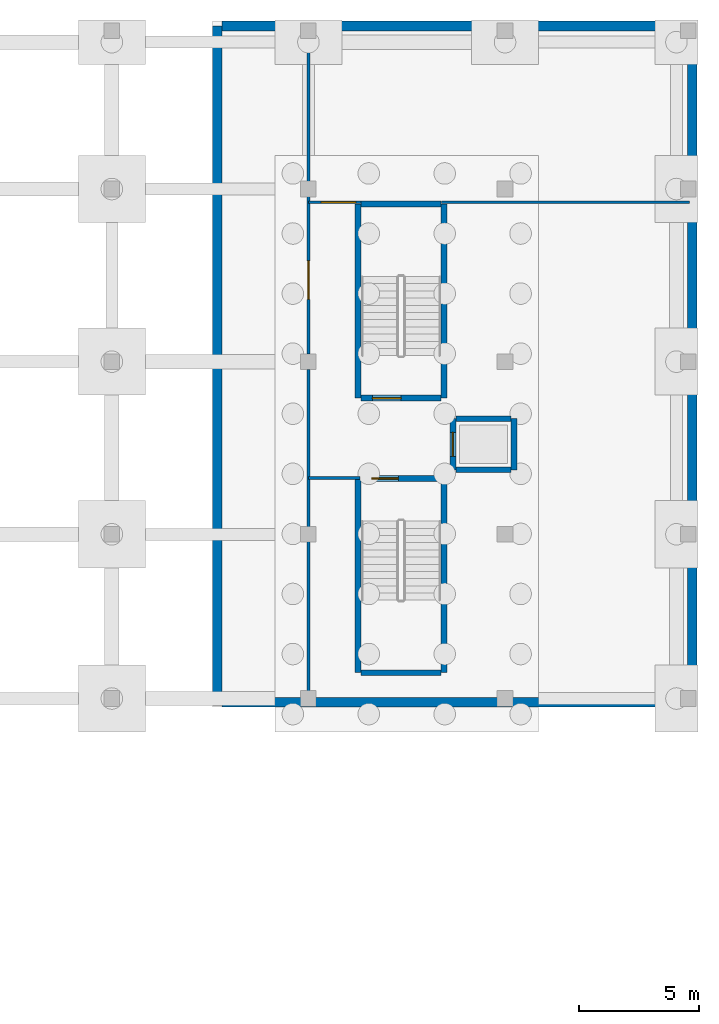
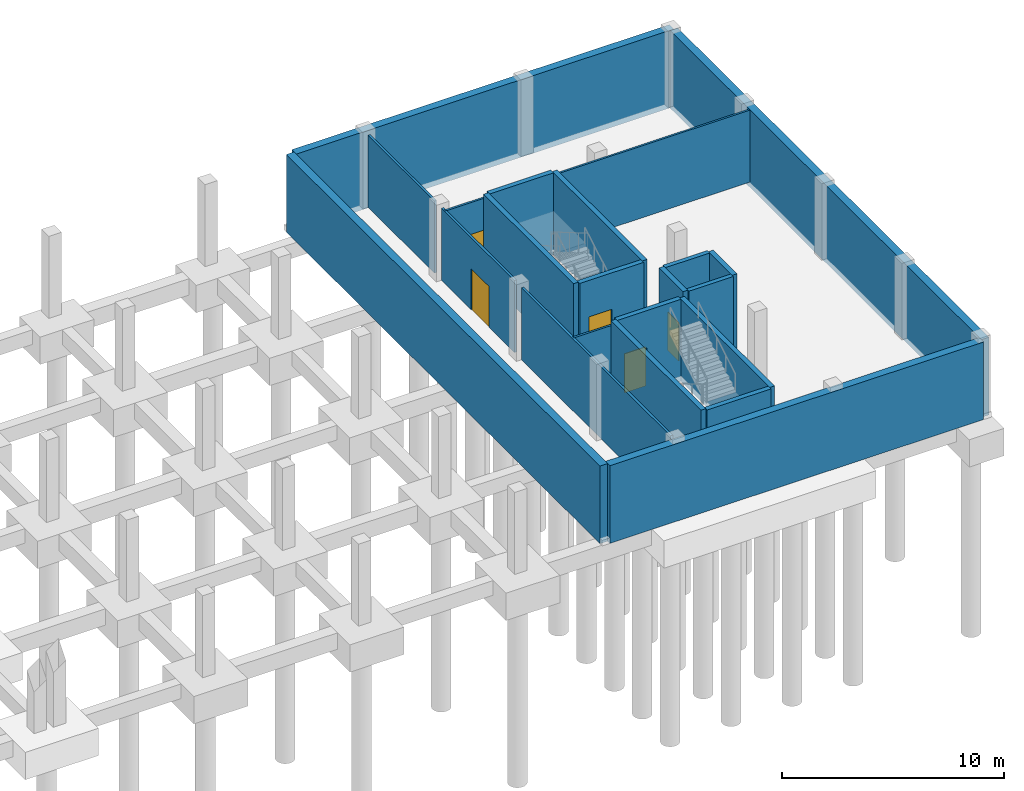
# One storey, part 14 of 21: 22 walls, 5 doors, 5 openings.
"""IFC4 building model written with IfcOpenShell, lengths in metres."""

from ifc_helpers import new_model, si_unit, direction, frame, frame_2d, origin, place, context, subcontext, project, spatial, rectangle, extrude, material, layer, layer_set, type_object, element, fill, save


model = new_model("IFC4")

# Units and contexts
model_context = context("Model", 3, precision=1e-05, world=origin(), true_north=direction((0.0, 1.0)))
body_context = subcontext(model_context, "Body", "Model", "MODEL_VIEW")
ifc_project = project(units=[si_unit("LENGTHUNIT", "METRE"), si_unit("AREAUNIT", "SQUARE_METRE"), si_unit("VOLUMEUNIT", "CUBIC_METRE"), si_unit("PLANEANGLEUNIT", "RADIAN"), si_unit("MASSUNIT", "GRAM", prefix="KILO")], contexts=[model_context])

# Site, building, storey
site_placement = place(None, origin())
site = spatial("IfcSite", under=ifc_project, at=site_placement, CompositionType="ELEMENT")
building_placement = place(site_placement, origin())
building = spatial("IfcBuilding", under=site, at=building_placement, Name="Quillay Park Conservatory", CompositionType="ELEMENT")
storey_placement = place(building_placement, frame((0.0, 0.0, -8.39990234375)))
storey = spatial("IfcBuildingStorey", under=building, at=storey_placement, Name="B2", CompositionType="ELEMENT", Elevation=-8.39990234375)

# Wall
ifc_material_1 = material(Name="Steel-Stud Acoustic Gypsum Board Partition", Category="steel")
ifc_layer_1 = layer(ifc_material_1, 0.10009765625)
ifc_layer_set_1 = layer_set([ifc_layer_1], Name="ACOUSTIC GYPSUM PARTITION 100 (Steel-Stud Acoustic Gypsum Board Partition)")
wall_type_1 = type_object("IfcWallType", Name="ACOUSTIC GYPSUM PARTITION 100", PredefinedType="PARTITIONING", material=ifc_layer_set_1)
wall_1_placement = place(storey_placement, frame((153.550048828125, 106.25, 0.0), z_axis=(0.0, 0.0, 1.0), x_axis=(1.0, 0.0, 0.0)))
element("IfcWall", 1, at=wall_1_placement, inside=storey, type_object=wall_type_1, Name="B2 Aud Sub North Room Wall E", PredefinedType="PARTITIONING", context=body_context, shape_type="SweptSolid", body=[
    extrude(rectangle(XDim=10.349853515625, YDim=0.10009765625, at=frame_2d((5.1748046875, 0.0))), origin(), (0.0, 0.0, 1.0), 3.949951171875),
])

# Wall, opening, door
ifc_material_2 = material(Name="Steel-Stud Acoustic Gypsum Board Partition", Category="steel")
ifc_layer_2 = layer(ifc_material_2, 0.10498046875)
ifc_layer_set_2 = layer_set([ifc_layer_2], Name="ACOUSTIC GYPSUM PARTITION 105 (Steel-Stud Acoustic Gypsum Board Partition)")
wall_type_2 = type_object("IfcWallType", Name="ACOUSTIC GYPSUM PARTITION 105", PredefinedType="PARTITIONING", material=ifc_layer_set_2)
wall_2_placement = place(storey_placement, frame((148.0, 106.25, 0.0), z_axis=(0.0, 0.0, 1.0), x_axis=(1.0, 0.0, 0.0)))
wall_2 = element("IfcWall", 2, at=wall_2_placement, inside=storey, type_object=wall_type_2, Name="B2 Aud Sub North Room Door Wall", PredefinedType="PARTITIONING", context=body_context, shape_type="SweptSolid", body=[
    extrude(rectangle(XDim=2.199951171875, YDim=0.10498046875, at=frame_2d((1.10009765625, 0.0))), origin(), (0.0, 0.0, 1.0), 3.949951171875),
])
opening_1_placement = place(wall_2_placement, frame((0.52490234375, 0.0, 0.0)))
opening_1 = element("IfcOpeningElement", 3, at=opening_1_placement, cuts=wall_2, Name="Opening D-PL01", PredefinedType="OPENING", context=body_context, shape_type="SweptSolid", body=[
    extrude(rectangle(XDim=1.449951171875, YDim=2.199951171875, at=frame_2d((0.72509765625, 1.10009765625))), frame((0.0, 0.052490234375, 0.0), z_axis=(0.0, -1.0, 0.0), x_axis=(1.0, 0.0, 0.0)), (0.0, 0.0, 1.0), 0.10498046875),
])
ifc_material_3 = material(Name="Steel ASTM A572 Grade 50", Category="steel")
door_type_1 = type_object("IfcDoorType", Name="FIRE RATED PLANT DOOR 1450 X2200", OperationType="NOTDEFINED", PredefinedType="DOOR", material=ifc_material_3)
door_1_placement = place(opening_1_placement, origin())
door_1 = element("IfcDoor", 4, at=door_1_placement, inside=storey, type_object=door_type_1, Name="B2 Door to B2 Sterilised Substrate and Potting Store", OperationType="SINGLE_SWING_LEFT", OverallHeight=2.199951171875, OverallWidth=1.449951171875, PredefinedType="DOOR", context=body_context, shape_type="SweptSolid", body=[
    extrude(rectangle(XDim=1.449951171875, YDim=2.199951171875, at=frame_2d((0.72509765625, 1.10009765625))), frame((0.0, 0.02490234375, 0.0), z_axis=(0.0, -1.0, 0.0), x_axis=(1.0, 0.0, 0.0)), (0.0, 0.0, 1.0), 0.050048828125),
])
fill(opening_1, door_1)

# Walls
ifc_material_4 = material(Name="Steel-Stud Acoustic Gypsum Board Partition", Category="steel")
ifc_layer_3 = layer(ifc_material_4, 0.110107421875)
ifc_layer_set_3 = layer_set([ifc_layer_3], Name="ACOUSTIC GYPSUM PARTITION 110 (Steel-Stud Acoustic Gypsum Board Partition)")
wall_type_3 = type_object("IfcWallType", Name="ACOUSTIC GYPSUM PARTITION 110", PredefinedType="PARTITIONING", material=ifc_layer_set_3)
wall_3_placement = place(storey_placement, frame((148.0, 94.75, 0.0), z_axis=(0.0, 0.0, 1.0), x_axis=(1.0, 0.0, 0.0)))
element("IfcWall", 5, at=wall_3_placement, inside=storey, type_object=wall_type_3, Name="B2 Aud Sub Corr South Closure", PredefinedType="PARTITIONING", context=body_context, shape_type="SweptSolid", body=[
    extrude(rectangle(XDim=2.14990234375, YDim=0.110107421875, at=frame_2d((1.074951171875, 0.0))), origin(), (0.0, 0.0, 1.0), 3.949951171875),
])
ifc_material_5 = material(Name="Steel-Stud Acoustic Gypsum Board Partition", Category="steel")
ifc_layer_4 = layer(ifc_material_5, 0.114990234375)
ifc_layer_set_4 = layer_set([ifc_layer_4], Name="ACOUSTIC GYPSUM PARTITION 115 (Steel-Stud Acoustic Gypsum Board Partition)")
wall_type_4 = type_object("IfcWallType", Name="ACOUSTIC GYPSUM PARTITION 115", PredefinedType="PARTITIONING", material=ifc_layer_set_4)
wall_4_placement = place(storey_placement, frame((148.0, 107.1201171875, 0.0), z_axis=(0.0, 0.0, 1.0), x_axis=(0.0, 1.0, 0.0)))
element("IfcWall", 6, at=wall_4_placement, inside=storey, type_object=wall_type_4, Name="B2 Aud Sub West Wall N", PredefinedType="PARTITIONING", context=body_context, shape_type="SweptSolid", body=[
    extrude(rectangle(XDim=5.9599609375, YDim=0.114990234375, at=frame_2d((2.97998046875, 0.0))), origin(), (0.0, 0.0, 1.0), 3.949951171875),
])

# Wall, opening, door
ifc_material_6 = material(Name="Steel-Stud Acoustic Gypsum Board Partition", Category="steel")
ifc_layer_5 = layer(ifc_material_6, 0.1201171875)
ifc_layer_set_5 = layer_set([ifc_layer_5], Name="ACOUSTIC GYPSUM PARTITION 120 (Steel-Stud Acoustic Gypsum Board Partition)")
wall_type_5 = type_object("IfcWallType", Name="ACOUSTIC GYPSUM PARTITION 120", PredefinedType="PARTITIONING", material=ifc_layer_set_5)
wall_5_placement = place(storey_placement, frame((148.0, 99.919921875, 0.0), z_axis=(0.0, 0.0, 1.0), x_axis=(0.0, 1.0, 0.0)))
wall_5 = element("IfcWall", 7, at=wall_5_placement, inside=storey, type_object=wall_type_5, Name="B2 Aud Sub West Wall M", PredefinedType="PARTITIONING", context=body_context, shape_type="SweptSolid", body=[
    extrude(rectangle(XDim=6.56005859375, YDim=0.1201171875, at=frame_2d((3.280029296875, 0.0))), origin(), (0.0, 0.0, 1.0), 3.949951171875),
])
opening_2_placement = place(wall_5_placement, frame((2.280029296875, 0.0, 0.0)))
opening_2 = element("IfcOpeningElement", 8, at=opening_2_placement, cuts=wall_5, Name="Opening D-PL02", PredefinedType="OPENING", context=body_context, shape_type="SweptSolid", body=[
    extrude(rectangle(XDim=1.60009765625, YDim=2.25, at=frame_2d((0.800048828125, 1.125))), frame((0.0, 0.06005859375, 0.0), z_axis=(0.0, -1.0, 0.0), x_axis=(1.0, 0.0, 0.0)), (0.0, 0.0, 1.0), 0.1201171875),
])
ifc_material_7 = material(Name="Steel ASTM A572 Grade 50", Category="steel")
door_type_2 = type_object("IfcDoorType", Name="FIRE RATED PLANT DOOR 1600 X2250", OperationType="NOTDEFINED", PredefinedType="DOOR", material=ifc_material_7)
door_2_placement = place(opening_2_placement, origin())
door_2 = element("IfcDoor", 9, at=door_2_placement, inside=storey, type_object=door_type_2, Name="B2 Door to B2 Acoustic AHU Plant Room", OperationType="SINGLE_SWING_RIGHT", OverallHeight=2.25, OverallWidth=1.60009765625, PredefinedType="DOOR", context=body_context, shape_type="SweptSolid", body=[
    extrude(rectangle(XDim=1.60009765625, YDim=2.25, at=frame_2d((0.800048828125, 1.125))), frame((0.0, 0.02490234375, 0.0), z_axis=(0.0, -1.0, 0.0), x_axis=(1.0, 0.0, 0.0)), (0.0, 0.0, 1.0), 0.050048828125),
])
fill(opening_2, door_2)

# Walls
ifc_material_8 = material(Name="Steel-Stud Acoustic Gypsum Board Partition", Category="steel")
ifc_layer_6 = layer(ifc_material_8, 0.125)
ifc_layer_set_6 = layer_set([ifc_layer_6], Name="ACOUSTIC GYPSUM PARTITION 125 (Steel-Stud Acoustic Gypsum Board Partition)")
wall_type_6 = type_object("IfcWallType", Name="ACOUSTIC GYPSUM PARTITION 125", PredefinedType="PARTITIONING", material=ifc_layer_set_6)
wall_6_placement = place(storey_placement, frame((148.0, 85.8701171875, 0.0), z_axis=(0.0, 0.0, 1.0), x_axis=(0.0, 1.0, 0.0)))
element("IfcWall", 10, at=wall_6_placement, inside=storey, type_object=wall_type_6, Name="B2 Aud Sub West Wall S", PredefinedType="PARTITIONING", context=body_context, shape_type="SweptSolid", body=[
    extrude(rectangle(XDim=13.409912109375, YDim=0.125, at=frame_2d((6.705078125, 0.0))), origin(), (0.0, 0.0, 1.0), 3.949951171875),
])
ifc_material_9 = material(Name="Concrete C35/45 (NCh170 Concrete C35/45)", Category="concrete")
ifc_layer_7 = layer(ifc_material_9, 0.22509765625)
ifc_layer_set_7 = layer_set([ifc_layer_7], Name="CORE SHEAR WALL 225 (Concrete C35/45 (NCh170 Concrete C35/45))")
wall_type_7 = type_object("IfcWallType", Name="CORE SHEAR WALL 225", PredefinedType="SHEAR", material=ifc_layer_set_7)
for number, where, z_axis, x_axis, name in (
    (11, (154.14990234375, 95.08740234375, -0.300048828125), (0.0, 0.0, 1.0), (1.0, 0.0, 0.0), "B2 Core Shear Wall WL-LFA1S-B2"),
    (12, (154.14990234375, 97.21240234375, -0.300048828125), (0.0, 0.0, 1.0), (1.0, 0.0, 0.0), "B2 Core Shear Wall WL-LFA1N-B2"),
):
    element("IfcWall", number, at=place(storey_placement, frame(where, z_axis=z_axis, x_axis=x_axis)), inside=storey, type_object=wall_type_7, Name=name, PredefinedType="SHEAR", context=body_context, shape_type="SweptSolid", body=[
        extrude(rectangle(XDim=2.300048828125, YDim=0.22509765625, at=frame_2d((1.14990234375, 0.0))), origin(), (0.0, 0.0, 1.0), 4.5),
    ])
ifc_material_10 = material(Name="Concrete C40/50 (NCh170 Concrete C40/50)", Category="concrete")
ifc_layer_8 = layer(ifc_material_10, 0.25)
ifc_layer_set_8 = layer_set([ifc_layer_8], Name="CORE SHEAR WALL 250 (Concrete C40/50 (NCh170 Concrete C40/50))")
wall_type_8 = type_object("IfcWallType", Name="CORE SHEAR WALL 250", PredefinedType="SHEAR", material=ifc_layer_set_8)
for number, where, z_axis, x_axis, name in (
    (13, (150.074951171875, 86.625, -0.300048828125), (0.0, 0.0, 1.0), (0.0, 1.0, 0.0), "B2 Core Shear Wall WL-A1W-B2"),
    (14, (153.64501953125, 86.625, -0.300048828125), (0.0, 0.0, 1.0), (0.0, 1.0, 0.0), "B2 Core Shear Wall WL-A1E-B2"),
):
    element("IfcWall", number, at=place(storey_placement, frame(where, z_axis=z_axis, x_axis=x_axis)), inside=storey, type_object=wall_type_8, Name=name, PredefinedType="SHEAR", context=body_context, shape_type="SweptSolid", body=[
        extrude(rectangle(XDim=8.10009765625, YDim=0.25, at=frame_2d((4.050048828125, 0.0))), origin(), (0.0, 0.0, 1.0), 4.5),
    ])
wall_7_placement = place(storey_placement, frame((150.199951171875, 86.625, -0.300048828125), z_axis=(0.0, 0.0, 1.0), x_axis=(1.0, 0.0, 0.0)))
element("IfcWall", 15, at=wall_7_placement, inside=storey, type_object=wall_type_8, Name="B2 Core Shear Wall WL-A1S-B2", PredefinedType="SHEAR", context=body_context, shape_type="SweptSolid", body=[
    extrude(rectangle(XDim=3.320068359375, YDim=0.25, at=frame_2d((1.66015625, 0.0))), origin(), (0.0, 0.0, 1.0), 4.5),
])

# Wall, opening, door
wall_8_placement = place(storey_placement, frame((150.199951171875, 94.72509765625, -0.300048828125), z_axis=(0.0, 0.0, 1.0), x_axis=(1.0, 0.0, 0.0)))
wall_8 = element("IfcWall", 16, at=wall_8_placement, inside=storey, type_object=wall_type_8, Name="B2 Core Shear Wall WL-A1D-B2", PredefinedType="SHEAR", context=body_context, shape_type="SweptSolid", body=[
    extrude(rectangle(XDim=3.320068359375, YDim=0.25, at=frame_2d((1.66015625, 0.0))), origin(), (0.0, 0.0, 1.0), 4.5),
])
opening_3_placement = place(wall_8_placement, frame((0.449951171875, 0.0, 0.300048828125)))
opening_3 = element("IfcOpeningElement", 17, at=opening_3_placement, cuts=wall_8, Name="Opening D-ST01", PredefinedType="OPENING", context=body_context, shape_type="SweptSolid", body=[
    extrude(rectangle(XDim=1.10009765625, YDim=2.14990234375, at=frame_2d((0.550048828125, 1.074951171875))), frame((0.0, 0.125, 0.0), z_axis=(0.0, -1.0, 0.0), x_axis=(1.0, 0.0, 0.0)), (0.0, 0.0, 1.0), 0.25),
])
ifc_material_11 = material(Name="Steel ASTM A572 Grade 50", Category="steel")
door_type_3 = type_object("IfcDoorType", Name="FIRE RATED STAIR DOOR 1100 X2150", OperationType="NOTDEFINED", PredefinedType="DOOR", material=ifc_material_11)
door_3_placement = place(opening_3_placement, origin())
door_3 = element("IfcDoor", 18, at=door_3_placement, inside=storey, type_object=door_type_3, Name="B2 Auditorium Stair ST-A1 Door", OperationType="SINGLE_SWING_LEFT", OverallHeight=2.14990234375, OverallWidth=1.10009765625, PredefinedType="DOOR", context=body_context, shape_type="SweptSolid", body=[
    extrude(rectangle(XDim=1.10009765625, YDim=2.14990234375, at=frame_2d((0.550048828125, 1.074951171875))), frame((0.0, 0.02490234375, 0.0), z_axis=(0.0, -1.0, 0.0), x_axis=(1.0, 0.0, 0.0)), (0.0, 0.0, 1.0), 0.050048828125),
])
fill(opening_3, door_3)

# Walls
for number, where, z_axis, x_axis, name in (
    (19, (150.074951171875, 98.074951171875, -0.300048828125), (0.0, 0.0, 1.0), (0.0, 1.0, 0.0), "B2 Core Shear Wall WL-A2W-B2"),
    (20, (153.64501953125, 98.074951171875, -0.300048828125), (0.0, 0.0, 1.0), (0.0, 1.0, 0.0), "B2 Core Shear Wall WL-A2E-B2"),
):
    element("IfcWall", number, at=place(storey_placement, frame(where, z_axis=z_axis, x_axis=x_axis)), inside=storey, type_object=wall_type_8, Name=name, PredefinedType="SHEAR", context=body_context, shape_type="SweptSolid", body=[
        extrude(rectangle(XDim=8.10009765625, YDim=0.25, at=frame_2d((4.050048828125, 0.0))), origin(), (0.0, 0.0, 1.0), 4.5),
    ])
wall_9_placement = place(storey_placement, frame((150.199951171875, 106.175048828125, -0.300048828125), z_axis=(0.0, 0.0, 1.0), x_axis=(1.0, 0.0, 0.0)))
element("IfcWall", 21, at=wall_9_placement, inside=storey, type_object=wall_type_8, Name="B2 Core Shear Wall WL-A2N-B2", PredefinedType="SHEAR", context=body_context, shape_type="SweptSolid", body=[
    extrude(rectangle(XDim=3.320068359375, YDim=0.25, at=frame_2d((1.66015625, 0.0))), origin(), (0.0, 0.0, 1.0), 4.5),
])

# Wall, opening, door
wall_10_placement = place(storey_placement, frame((153.52001953125, 98.074951171875, -0.300048828125), z_axis=(0.0, 0.0, 1.0), x_axis=(-1.0, 0.0, 0.0)))
wall_10 = element("IfcWall", 22, at=wall_10_placement, inside=storey, type_object=wall_type_8, Name="B2 Core Shear Wall WL-A2D-B2", PredefinedType="SHEAR", context=body_context, shape_type="SweptSolid", body=[
    extrude(rectangle(XDim=3.320068359375, YDim=0.25, at=frame_2d((1.66015625, 0.0))), origin(), (0.0, 0.0, 1.0), 4.5),
])
opening_4_placement = place(wall_10_placement, frame((1.64990234375, 0.0, 0.300048828125)))
opening_4 = element("IfcOpeningElement", 23, at=opening_4_placement, cuts=wall_10, Name="Opening D-ST03", PredefinedType="OPENING", context=body_context, shape_type="SweptSolid", body=[
    extrude(rectangle(XDim=1.199951171875, YDim=2.199951171875, at=frame_2d((0.60009765625, 1.10009765625))), frame((0.0, 0.125, 0.0), z_axis=(0.0, -1.0, 0.0), x_axis=(1.0, 0.0, 0.0)), (0.0, 0.0, 1.0), 0.25),
])
ifc_material_12 = material(Name="Steel ASTM A572 Grade 50", Category="steel")
door_type_4 = type_object("IfcDoorType", Name="FIRE RATED STAIR DOOR 1200 X2200", OperationType="NOTDEFINED", PredefinedType="DOOR", material=ifc_material_12)
door_4_placement = place(opening_4_placement, origin())
door_4 = element("IfcDoor", 24, at=door_4_placement, inside=storey, type_object=door_type_4, Name="B2 Auditorium Stair ST-A2 Door", OperationType="SINGLE_SWING_RIGHT", OverallHeight=2.199951171875, OverallWidth=1.199951171875, PredefinedType="DOOR", context=body_context, shape_type="SweptSolid", body=[
    extrude(rectangle(XDim=1.199951171875, YDim=2.199951171875, at=frame_2d((0.60009765625, 1.10009765625))), frame((0.0, 0.02490234375, 0.0), z_axis=(0.0, -1.0, 0.0), x_axis=(1.0, 0.0, 0.0)), (0.0, 0.0, 1.0), 0.050048828125),
])
fill(opening_4, door_4)

# Wall
wall_11_placement = place(storey_placement, frame((156.574951171875, 95.074951171875, -0.300048828125), z_axis=(0.0, 0.0, 1.0), x_axis=(0.0, 1.0, 0.0)))
element("IfcWall", 25, at=wall_11_placement, inside=storey, type_object=wall_type_8, Name="B2 Core Shear Wall WL-LFA1B-B2", PredefinedType="SHEAR", context=body_context, shape_type="SweptSolid", body=[
    extrude(rectangle(XDim=2.150146484375, YDim=0.25, at=frame_2d((1.0751953125, 0.0))), origin(), (0.0, 0.0, 1.0), 4.5),
])

# Wall, opening, door
wall_12_placement = place(storey_placement, frame((154.02490234375, 95.074951171875, -0.300048828125), z_axis=(0.0, 0.0, 1.0), x_axis=(0.0, 1.0, 0.0)))
wall_12 = element("IfcWall", 26, at=wall_12_placement, inside=storey, type_object=wall_type_8, Name="B2 Core Shear Wall WL-LFA1F-B2", PredefinedType="SHEAR", context=body_context, shape_type="SweptSolid", body=[
    extrude(rectangle(XDim=2.150146484375, YDim=0.25, at=frame_2d((1.0751953125, 0.0))), origin(), (0.0, 0.0, 1.0), 4.5),
])
opening_5_placement = place(wall_12_placement, frame((0.574951171875, 0.0, 0.300048828125)))
opening_5 = element("IfcOpeningElement", 27, at=opening_5_placement, cuts=wall_12, Name="Opening LD04", PredefinedType="OPENING", context=body_context, shape_type="SweptSolid", body=[
    extrude(rectangle(XDim=1.0, YDim=2.10009765625, at=frame_2d((0.5, 1.050048828125))), frame((0.0, 0.125, 0.0), z_axis=(0.0, -1.0, 0.0), x_axis=(1.0, 0.0, 0.0)), (0.0, 0.0, 1.0), 0.25),
])
ifc_material_13 = material(Name="Steel ASTM A572 Grade 50", Category="steel")
door_type_5 = type_object("IfcDoorType", Name="LIFT LANDING SLIDING DOOR 1000 X2100", OperationType="NOTDEFINED", PredefinedType="DOOR", material=ifc_material_13)
door_5_placement = place(opening_5_placement, origin())
door_5 = element("IfcDoor", 28, at=door_5_placement, inside=storey, type_object=door_type_5, Name="B2 LF-A1 Lift Landing Door LD04", OperationType="SLIDING_TO_LEFT", OverallHeight=2.10009765625, OverallWidth=1.0, PredefinedType="DOOR", context=body_context, shape_type="SweptSolid", body=[
    extrude(rectangle(XDim=1.0, YDim=2.10009765625, at=frame_2d((0.5, 1.050048828125))), frame((0.0, 0.02490234375, 0.0), z_axis=(0.0, -1.0, 0.0), x_axis=(1.0, 0.0, 0.0)), (0.0, 0.0, 1.0), 0.050048828125),
])
fill(opening_5, door_5)

# Walls
ifc_material_14 = material(Name="Concrete C35/45 (NCh170 Concrete C35/45)", Category="concrete")
ifc_layer_9 = layer(ifc_material_14, 0.39990234375)
ifc_layer_set_9 = layer_set([ifc_layer_9], Name="RETAINING WALL 400 (Concrete C35/45 (NCh170 Concrete C35/45))")
wall_type_9 = type_object("IfcWallType", Name="RETAINING WALL 400", PredefinedType="USERDEFINED", material=ifc_layer_set_9)
wall_13_placement = place(storey_placement, frame((144.199951171875, 85.39990234375, -0.300048828125), z_axis=(0.0, 0.0, 1.0), x_axis=(0.0, 1.0, 0.0)))
element("IfcWall", 29, at=wall_13_placement, inside=storey, type_object=wall_type_9, Name="B2 Perimeter Retaining Wall 09", ObjectType="RETAINING WALL", PredefinedType="USERDEFINED", context=body_context, shape_type="SweptSolid", body=[
    extrude(rectangle(XDim=28.2001953125, YDim=0.39990234375, at=frame_2d((14.10009765625, 0.0))), origin(), (0.0, 0.0, 1.0), 4.260009765625),
])
wall_14_placement = place(storey_placement, frame((144.39990234375, 113.60009765625, -0.300048828125), z_axis=(0.0, 0.0, 1.0), x_axis=(1.0, 0.0, 0.0)))
element("IfcWall", 30, at=wall_14_placement, inside=storey, type_object=wall_type_9, Name="B2 Perimeter Retaining Wall 10", ObjectType="RETAINING WALL", PredefinedType="USERDEFINED", context=body_context, shape_type="SweptSolid", body=[
    extrude(rectangle(XDim=19.60009765625, YDim=0.39990234375, at=frame_2d((9.800048828125, 0.0))), origin(), (0.0, 0.0, 1.0), 4.260009765625),
])
wall_15_placement = place(storey_placement, frame((164.0, 113.39990234375, -0.300048828125), z_axis=(0.0, 0.0, 1.0), x_axis=(0.0, -1.0, 0.0)))
element("IfcWall", 31, at=wall_15_placement, inside=storey, type_object=wall_type_9, Name="B2 Perimeter Retaining Wall 11", ObjectType="RETAINING WALL", PredefinedType="USERDEFINED", context=body_context, shape_type="SweptSolid", body=[
    extrude(rectangle(XDim=28.0, YDim=0.39990234375, at=frame_2d((14.0, 0.0))), origin(), (0.0, 0.0, 1.0), 4.260009765625),
])
wall_16_placement = place(storey_placement, frame((163.800048828125, 85.39990234375, -0.300048828125), z_axis=(0.0, 0.0, 1.0), x_axis=(-1.0, 0.0, 0.0)))
element("IfcWall", 32, at=wall_16_placement, inside=storey, type_object=wall_type_9, Name="B2 Perimeter Retaining Wall 12", ObjectType="RETAINING WALL", PredefinedType="USERDEFINED", context=body_context, shape_type="SweptSolid", body=[
    extrude(rectangle(XDim=19.400146484375, YDim=0.39990234375, at=frame_2d((9.7001953125, 0.0))), origin(), (0.0, 0.0, 1.0), 4.260009765625),
])

save(model, "model.ifc")
